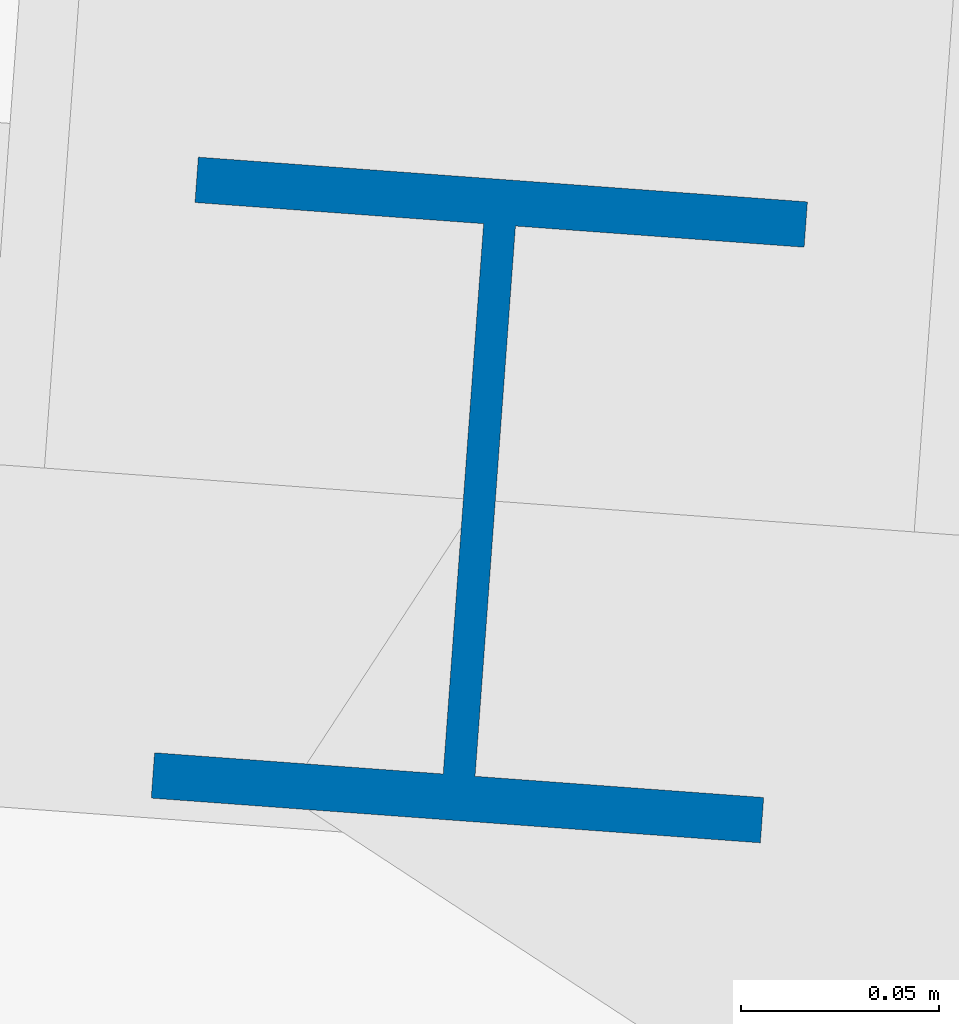
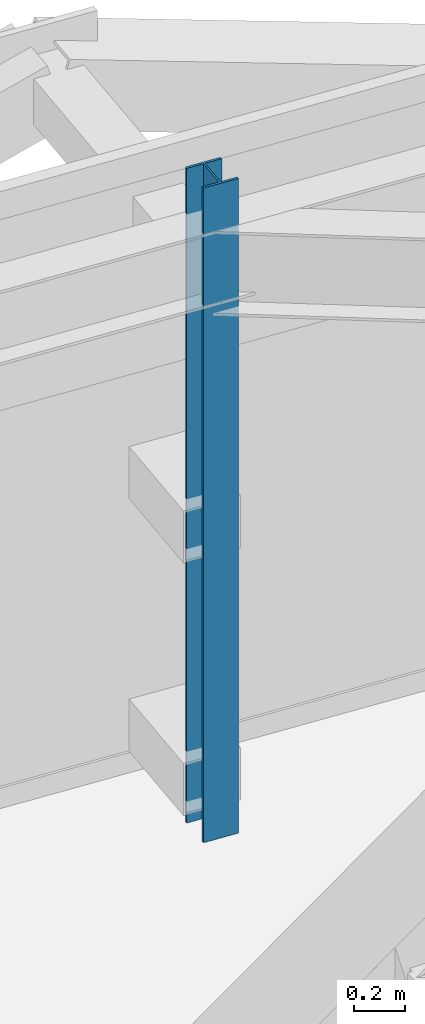
# One storey, part 8 of 42: 1 column.
"""IFC4 building model written with IfcOpenShell, lengths in metres."""

from ifc_helpers import new_model, si_unit, direction, frame, origin, origin_2d, place, context, subcontext, project, spatial, i_section, extrude, source, transform, mapped, material, material_profile, profile_set, type_object, element, save


model = new_model("IFC4")

# Units and contexts
model_context = context("Model", 3, precision=1e-05, world=origin(), true_north=direction((0.0, 1.0)))
body_context = subcontext(model_context, "Body", "Model", "MODEL_VIEW")
ifc_project = project(units=[si_unit("LENGTHUNIT", "METRE"), si_unit("AREAUNIT", "SQUARE_METRE"), si_unit("VOLUMEUNIT", "CUBIC_METRE"), si_unit("PLANEANGLEUNIT", "RADIAN"), si_unit("MASSUNIT", "GRAM", prefix="KILO")], contexts=[model_context])

# Site, building, storey
site_placement = place(None, origin())
site = spatial("IfcSite", under=ifc_project, at=site_placement, CompositionType="ELEMENT")
building_placement = place(site_placement, origin())
building = spatial("IfcBuilding", under=site, at=building_placement, Name="Taldren Reach Tower", CompositionType="ELEMENT")
storey_placement = place(building_placement, frame((0.0, 0.0, 220.85009765625)))
storey = spatial("IfcBuildingStorey", under=building, at=storey_placement, Name="L67", CompositionType="ELEMENT", Elevation=220.85009765625)

# Column
ifc_material = material(Name="Steel Gr 350 (350PLUS)", Category="steel")
ifc_material_profile = material_profile(ifc_material, i_section(OverallWidth=0.154052734375, OverallDepth=0.162109375, WebThickness=0.008056640625, FlangeThickness=0.011474609375, at=origin_2d()), Name="150UC37.2")
ifc_profile_set = profile_set([ifc_material_profile], Name="Steel Gr 350 (350PLUS)")
column_type = type_object("IfcColumnType", Name="COL-UC150", PredefinedType="COLUMN", material=ifc_profile_set)
shared_shape = source(origin(), body_context, "Body", "SweptSolid", [
    extrude(i_section(OverallWidth=0.154052734375, OverallDepth=0.162109375, WebThickness=0.008056640625, FlangeThickness=0.011474609375, at=origin_2d()), origin(), (0.0, 0.0, 1.0), 3.14990234375),
])
column_placement = place(storey_placement, frame((47.199462890625, 34.487548828125, 0.0), z_axis=(0.0, 0.0, 1.0), x_axis=(0.997314477224, -0.073238197128, 0.0)))
element("IfcColumn", 1, at=column_placement, inside=storey, type_object=column_type, Name="Block B5 perimeter column N5 L67", PredefinedType="COLUMN", context=body_context, shape_type="MappedRepresentation", body=[
    mapped(shared_shape, transform((0.0, 0.0, 0.0), scale=1.0)),
])

save(model, "model.ifc")
